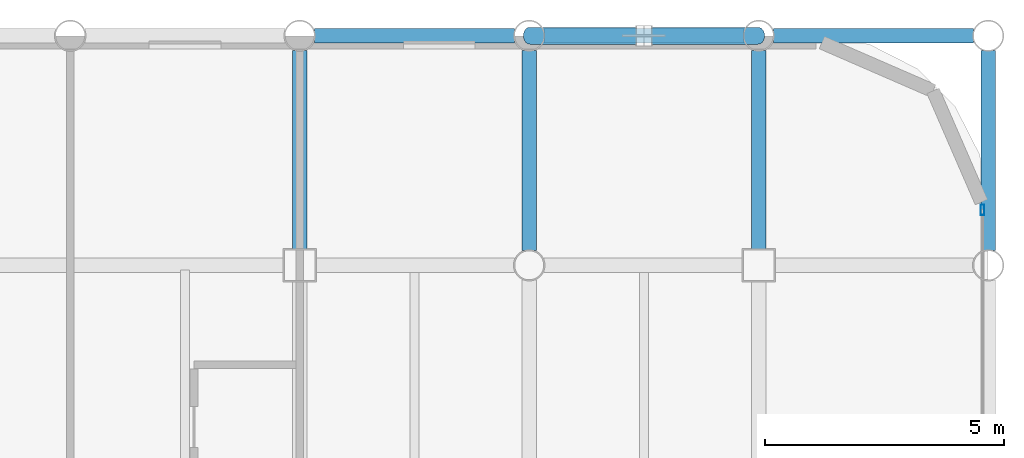
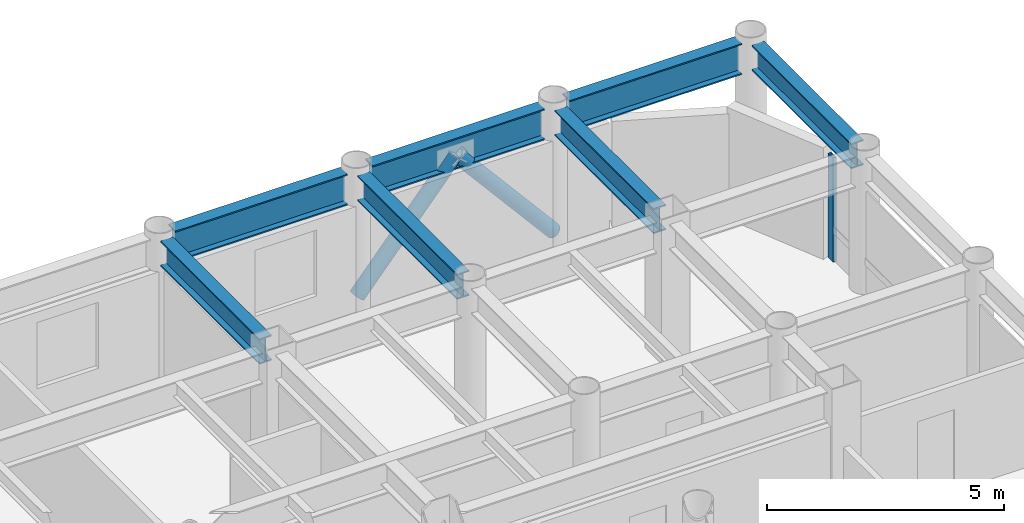
# One storey, part 14 of 19: 7 beams, 3 members, 1 element without a shape of its own.
"""IFC4 building model written with IfcOpenShell, lengths in metres."""

from ifc_helpers import new_model, si_unit, direction, frame, origin, origin_2d, place, context, subcontext, project, spatial, hollow_rectangle, hollow_circle, i_section, extrude, material, layer, layer_set, material_profile, profile_set, type_object, element, aggregate, save


model = new_model("IFC4")

# Units and contexts
model_context = context("Model", 3, precision=1e-05, world=origin(), true_north=direction((0.0, 1.0)))
body_context = subcontext(model_context, "Body", "Model", "MODEL_VIEW")
ifc_project = project(units=[si_unit("LENGTHUNIT", "METRE"), si_unit("AREAUNIT", "SQUARE_METRE"), si_unit("VOLUMEUNIT", "CUBIC_METRE"), si_unit("PLANEANGLEUNIT", "RADIAN"), si_unit("MASSUNIT", "GRAM", prefix="KILO")], contexts=[model_context])

# Site, building, storey
site_placement = place(None, origin())
site = spatial("IfcSite", under=ifc_project, at=site_placement, CompositionType="ELEMENT")
building_placement = place(site_placement, origin())
building = spatial("IfcBuilding", under=site, at=building_placement, Name="Kallvorn Hotel Tower", CompositionType="ELEMENT")
storey_placement = place(building_placement, frame((0.0, 0.0, 169.199951171875)))
storey = spatial("IfcBuildingStorey", under=building, at=storey_placement, Name="L42", CompositionType="ELEMENT", Elevation=169.199951171875)

# Beams
ifc_material_1 = material(Name="Structural steel S355JR", Category="steel")
ifc_material_profile_1 = material_profile(ifc_material_1, i_section(OverallWidth=0.300048828125, OverallDepth=0.64990234375, WebThickness=0.01611328125, FlangeThickness=0.031005859375, at=origin_2d()), Name="HE 650 B")
ifc_profile_set_1 = profile_set([ifc_material_profile_1], Name="Structural steel S355JR")
beam_type_1 = type_object("IfcBeamType", Name="BM_HE650B", PredefinedType="BEAM", material=ifc_profile_set_1)
beam_1_placement = place(storey_placement, frame((14.39990234375, 14.72509765625, 3.195068359375), z_axis=(0.0, 1.0, 0.0), x_axis=(-1.0, 0.0, 0.0)))
element("IfcBeam", 1, at=beam_1_placement, inside=storey, type_object=beam_type_1, Name="L43 Primary Y-Girder 126", PredefinedType="BEAM", context=body_context, shape_type="SweptSolid", body=[
    extrude(i_section(OverallWidth=0.300048828125, OverallDepth=0.64990234375, WebThickness=0.01611328125, FlangeThickness=0.031005859375, at=origin_2d()), origin(), (0.0, 0.0, 1.0), 4.169921875),
])
beam_2_placement = place(storey_placement, frame((19.199951171875, 14.705078125, 3.195068359375), z_axis=(0.0, 1.0, 0.0), x_axis=(-1.0, 0.0, 0.0)))
element("IfcBeam", 2, at=beam_2_placement, inside=storey, type_object=beam_type_1, Name="L43 Primary Y-Girder 135", PredefinedType="BEAM", context=body_context, shape_type="SweptSolid", body=[
    extrude(i_section(OverallWidth=0.300048828125, OverallDepth=0.64990234375, WebThickness=0.01611328125, FlangeThickness=0.031005859375, at=origin_2d()), origin(), (0.0, 0.0, 1.0), 4.18994140625),
])
beam_3_placement = place(storey_placement, frame((24.0, 14.72509765625, 3.195068359375), z_axis=(0.0, 1.0, 0.0), x_axis=(-1.0, 0.0, 0.0)))
element("IfcBeam", 3, at=beam_3_placement, inside=storey, type_object=beam_type_1, Name="L43 Primary Y-Girder 142", PredefinedType="BEAM", context=body_context, shape_type="SweptSolid", body=[
    extrude(i_section(OverallWidth=0.300048828125, OverallDepth=0.64990234375, WebThickness=0.01611328125, FlangeThickness=0.031005859375, at=origin_2d()), origin(), (0.0, 0.0, 1.0), 4.169921875),
])
beam_4_placement = place(storey_placement, frame((28.800048828125, 14.705078125, 3.195068359375), z_axis=(0.0, 1.0, 0.0), x_axis=(-1.0, 0.0, 0.0)))
element("IfcBeam", 4, at=beam_4_placement, inside=storey, type_object=beam_type_1, Name="L43 Primary Y-Girder 150", PredefinedType="BEAM", context=body_context, shape_type="SweptSolid", body=[
    extrude(i_section(OverallWidth=0.300048828125, OverallDepth=0.64990234375, WebThickness=0.01611328125, FlangeThickness=0.031005859375, at=origin_2d()), origin(), (0.0, 0.0, 1.0), 4.18994140625),
])
ifc_material_2 = material(Name="Structural steel S355JR", Category="steel")
ifc_material_profile_2 = material_profile(ifc_material_2, i_section(OverallWidth=0.300048828125, OverallDepth=0.800048828125, WebThickness=0.017578125, FlangeThickness=0.032958984375, at=origin_2d()), Name="HE 800 B")
ifc_profile_set_2 = profile_set([ifc_material_profile_2], Name="Structural steel S355JR")
beam_type_2 = type_object("IfcBeamType", Name="BM_HE800B", PredefinedType="BEAM", material=ifc_profile_set_2)
beam_5_placement = place(storey_placement, frame((14.705078125, 19.199951171875, 3.1201171875), z_axis=(1.0, 0.0, 0.0), x_axis=(0.0, 1.0, 0.0)))
element("IfcBeam", 5, at=beam_5_placement, inside=storey, type_object=beam_type_2, Name="L43 Primary X-Girder 70", PredefinedType="BEAM", context=body_context, shape_type="SweptSolid", body=[
    extrude(i_section(OverallWidth=0.300048828125, OverallDepth=0.800048828125, WebThickness=0.017578125, FlangeThickness=0.032958984375, at=origin_2d()), origin(), (0.0, 0.0, 1.0), 4.18994140625),
])
for number, where, z_axis, x_axis, name in (
    (6, (19.5048828125, 19.199951171875, 3.1201171875), (1.0, 0.0, 0.0), (0.0, 1.0, 0.0), "L43 Primary X-Girder 71"),
    (7, (24.304931640625, 19.199951171875, 3.1201171875), (1.0, 0.0, 0.0), (0.0, 1.0, 0.0), "L43 Primary X-Girder 72"),
):
    element("IfcBeam", number, at=place(storey_placement, frame(where, z_axis=z_axis, x_axis=x_axis)), inside=storey, type_object=beam_type_2, Name=name, PredefinedType="BEAM", context=body_context, shape_type="SweptSolid", body=[
        extrude(i_section(OverallWidth=0.300048828125, OverallDepth=0.800048828125, WebThickness=0.017578125, FlangeThickness=0.032958984375, at=origin_2d()), origin(), (0.0, 0.0, 1.0), 4.190185546875),
    ])

# Curtain wall, member
ifc_material_3 = material(Name="Thermally broken black-anodised aluminium AA 6063-T6", Category="aluminium")
ifc_layer = layer(ifc_material_3, 0.2099609375)
ifc_layer_set = layer_set([ifc_layer], Name="CW_SYS_4_HOTEL_MID")
curtain_wall_type = type_object("IfcCurtainWallType", Name="CW_SYS_4_HOTEL_MID", PredefinedType="USERDEFINED", material=ifc_layer_set)
curtain_wall_placement = place(storey_placement, origin())
curtain_wall = element("IfcCurtainWall", 8, at=curtain_wall_placement, inside=storey, type_object=curtain_wall_type, Name="L42 Dark-Glass Curtain Wall CW-L42-EN", ObjectType="UNITISED CURTAIN WALL", PredefinedType="USERDEFINED")
ifc_material_4 = material(Name="Thermally broken black-anodised aluminium AA 6063-T6", Category="aluminium")
ifc_material_profile_3 = material_profile(ifc_material_4, hollow_rectangle(XDim=0.080078125, YDim=0.219970703125, WallThickness=0.0048828125, at=origin_2d()), Name="MUL 220x80")
ifc_profile_set_3 = profile_set([ifc_material_profile_3], Name="Thermally broken black-anodised aluminium AA 6063-T6")
member_type_1 = type_object("IfcMemberType", Name="CW_MULLION_220x80", PredefinedType="MULLION", material=ifc_profile_set_3)
member_placement = place(storey_placement, frame((28.679931640625, 15.56005859375, 0.02001953125), z_axis=(0.0, 0.0, 1.0), x_axis=(1.0, 0.0, 0.0)))
member = element("IfcMember", 9, at=member_placement, type_object=member_type_1, Name="CW-L42-EN Mullion 01", PredefinedType="MULLION", context=body_context, shape_type="SweptSolid", body=[
    extrude(hollow_rectangle(XDim=0.080078125, YDim=0.219970703125, WallThickness=0.0048828125, at=origin_2d()), origin(), (0.0, 0.0, 1.0), 2.679931640625),
])
aggregate(curtain_wall, [member])

# Members
ifc_material_5 = material(Name="Structural steel S355J2H", Category="steel")
ifc_material_profile_4 = material_profile(ifc_material_5, hollow_circle(Radius=0.177734375, WallThickness=0.01416015625, at=origin_2d()), Name="CHS 355.6x14.2")
ifc_profile_set_4 = profile_set([ifc_material_profile_4], Name="Structural steel S355J2H")
member_type_2 = type_object("IfcMemberType", Name="MBR_EXO_CHS355", PredefinedType="BRACE", material=ifc_profile_set_4)
for number, where, z_axis, x_axis, name in (
    (10, (19.212890625, 19.199951171875, 0.1953125), (0.646833296797, 0.0, 0.762631422218), (0.0, 1.0, 0.0), "L42 Exoskeleton K-Brace N2A"),
    (11, (23.987060546875, 19.199951171875, 0.1953125), (-0.646833296797, 0.0, 0.762631422218), (0.0, -1.0, 0.0), "L42 Exoskeleton K-Brace N2B"),
):
    element("IfcMember", number, at=place(storey_placement, frame(where, z_axis=z_axis, x_axis=x_axis)), inside=storey, type_object=member_type_2, Name=name, PredefinedType="BRACE", context=body_context, shape_type="SweptSolid", body=[
        extrude(hollow_circle(Radius=0.177734375, WallThickness=0.01416015625, at=origin_2d()), origin(), (0.0, 0.0, 1.0), 3.670654296875),
    ])

save(model, "model.ifc")
